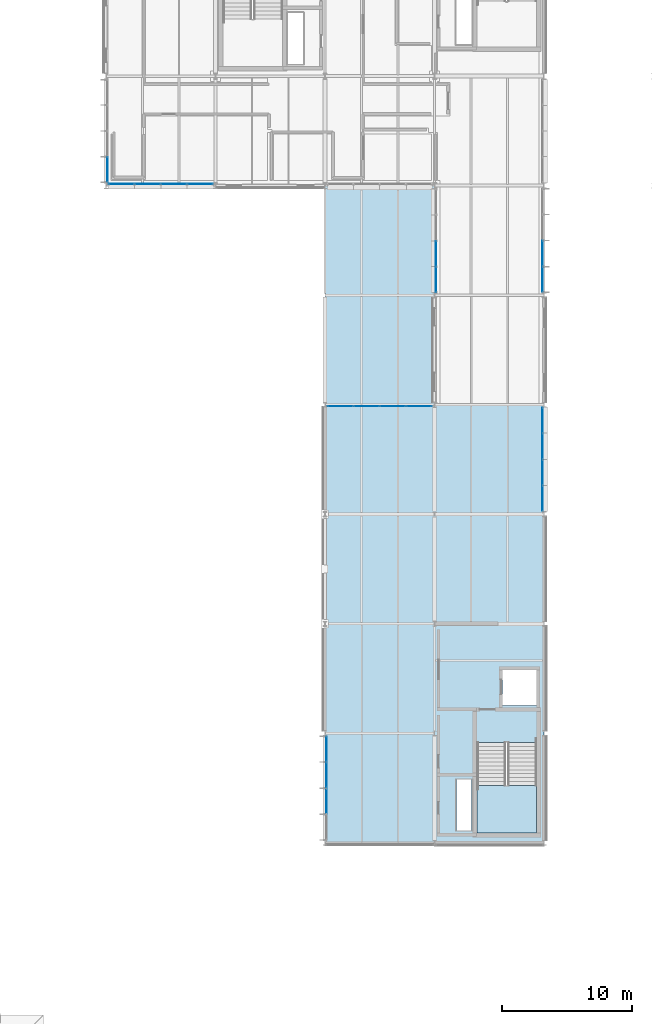
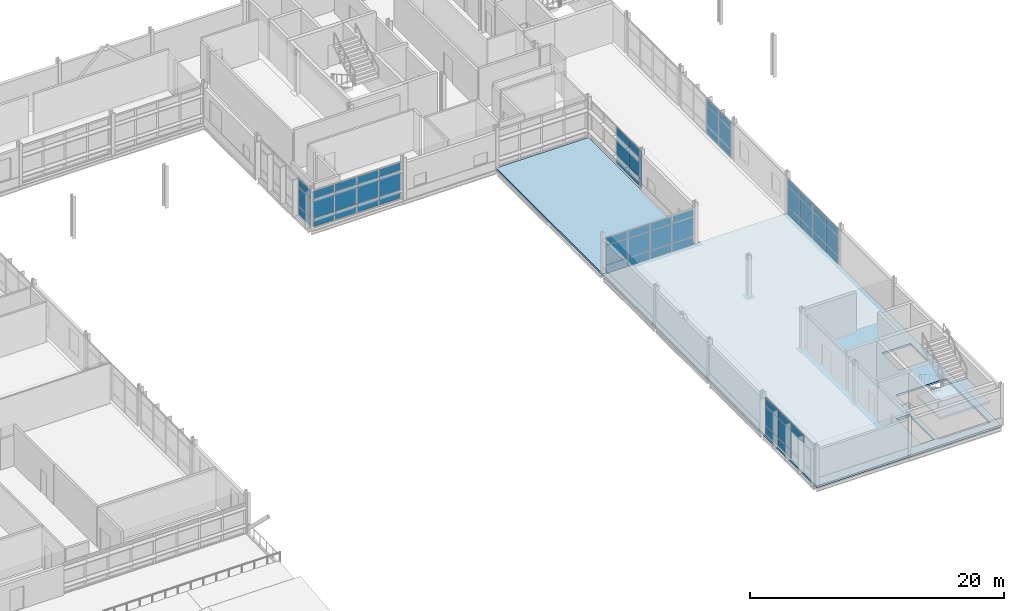
# One storey, part 79 of 103: 58 plates, 3 slabs, 8 elements without a shape of their own.
"""IFC4 building model written with IfcOpenShell, lengths in metres."""

from ifc_helpers import new_model, si_unit, direction, frame, origin, origin_2d, place, context, subcontext, project, spatial, polyline, rectangle, outline, extrude, material, layer, layer_set, type_object, element, aggregate, save


model = new_model("IFC4")

# Units and contexts
model_context = context("Model", 3, precision=1e-05, world=origin(), true_north=direction((0.0, 1.0)))
body_context = subcontext(model_context, "Body", "Model", "MODEL_VIEW")
ifc_project = project(units=[si_unit("LENGTHUNIT", "METRE"), si_unit("AREAUNIT", "SQUARE_METRE"), si_unit("VOLUMEUNIT", "CUBIC_METRE"), si_unit("PLANEANGLEUNIT", "RADIAN"), si_unit("MASSUNIT", "GRAM", prefix="KILO")], contexts=[model_context])

# Site, building, storey
site_placement = place(None, origin())
site = spatial("IfcSite", under=ifc_project, at=site_placement, CompositionType="ELEMENT")
building_placement = place(site_placement, origin())
building = spatial("IfcBuilding", under=site, at=building_placement, Name="Mersafa Astral City Hall", CompositionType="ELEMENT")
storey_placement = place(building_placement, frame((0.0, 0.0, 18.0)))
storey = spatial("IfcBuildingStorey", under=building, at=storey_placement, Name="L04", CompositionType="ELEMENT", Elevation=18.0)

# Curtain wall, plates
ifc_material_1 = material(Name="Anodised bronze aluminium framing", Category="aluminium")
curtain_wall_type_1 = type_object("IfcCurtainWallType", Name="ENV-CW-1", PredefinedType="USERDEFINED", material=ifc_material_1)
curtain_wall_1_placement = place(storey_placement, origin())
curtain_wall_1 = element("IfcCurtainWall", 1, at=curtain_wall_1_placement, inside=storey, type_object=curtain_wall_type_1, Name="L04 Unitised solar curtain wall 192", ObjectType="UNITISED CURTAIN WALL", PredefinedType="USERDEFINED")
ifc_material_2 = material(Name="Solar control low-e double glazing", Category="glass")
ifc_layer_1 = layer(ifc_material_2, 0.028076171875, Name="Solar control low-e double glazing")
ifc_layer_set_1 = layer_set([ifc_layer_1], Name="Solar control low-e double glazing — ENV-CW-PNL-GLZ-1")
plate_type_1 = type_object("IfcPlateType", Name="ENV-CW-PNL-GLZ-1", PredefinedType="CURTAIN_PANEL", material=ifc_layer_set_1)
plate_1_placement = place(storey_placement, frame((176.280029296875, 93.6064453125, 0.05810546875), z_axis=(0.0, 0.0, 1.0), x_axis=(0.0, 1.0, 0.0)))
plate_1 = element("IfcPlate", 2, at=plate_1_placement, type_object=plate_type_1, Name="CW-1 panel 1.1", PredefinedType="CURTAIN_PANEL", context=body_context, shape_type="SweptSolid", body=[
    extrude(rectangle(XDim=1.908935546875, YDim=0.028076171875, at=origin_2d()), origin(), (0.0, 0.0, 1.0), 0.761962890625),
])
plate_2_placement = place(storey_placement, frame((176.280029296875, 93.6064453125, 0.8798828125), z_axis=(0.0, 0.0, 1.0), x_axis=(0.0, 1.0, 0.0)))
plate_2 = element("IfcPlate", 3, at=plate_2_placement, type_object=plate_type_1, Name="CW-1 panel 1.2", PredefinedType="CURTAIN_PANEL", context=body_context, shape_type="SweptSolid", body=[
    extrude(rectangle(XDim=1.908935546875, YDim=0.028076171875, at=origin_2d()), origin(), (0.0, 0.0, 1.0), 1.840087890625),
])
plate_3_placement = place(storey_placement, frame((176.280029296875, 93.6064453125, 2.780029296875), z_axis=(0.0, 0.0, 1.0), x_axis=(0.0, 1.0, 0.0)))
plate_3 = element("IfcPlate", 4, at=plate_3_placement, type_object=plate_type_1, Name="CW-1 panel 1.3", PredefinedType="CURTAIN_PANEL", context=body_context, shape_type="SweptSolid", body=[
    extrude(rectangle(XDim=1.908935546875, YDim=0.028076171875, at=origin_2d()), origin(), (0.0, 0.0, 1.0), 0.6669921875),
])
plate_4_placement = place(storey_placement, frame((176.280029296875, 95.590576171875, 0.05810546875), z_axis=(0.0, 0.0, 1.0), x_axis=(0.0, 1.0, 0.0)))
plate_4 = element("IfcPlate", 5, at=plate_4_placement, type_object=plate_type_1, Name="CW-1 panel 2.1", PredefinedType="CURTAIN_PANEL", context=body_context, shape_type="SweptSolid", body=[
    extrude(rectangle(XDim=1.93896484375, YDim=0.028076171875, at=origin_2d()), origin(), (0.0, 0.0, 1.0), 0.761962890625),
])
plate_5_placement = place(storey_placement, frame((176.280029296875, 95.590576171875, 0.8798828125), z_axis=(0.0, 0.0, 1.0), x_axis=(0.0, 1.0, 0.0)))
plate_5 = element("IfcPlate", 6, at=plate_5_placement, type_object=plate_type_1, Name="CW-1 panel 2.2", PredefinedType="CURTAIN_PANEL", context=body_context, shape_type="SweptSolid", body=[
    extrude(rectangle(XDim=1.93896484375, YDim=0.028076171875, at=origin_2d()), origin(), (0.0, 0.0, 1.0), 1.840087890625),
])
plate_6_placement = place(storey_placement, frame((176.280029296875, 95.590576171875, 2.780029296875), z_axis=(0.0, 0.0, 1.0), x_axis=(0.0, 1.0, 0.0)))
plate_6 = element("IfcPlate", 7, at=plate_6_placement, type_object=plate_type_1, Name="CW-1 panel 2.3", PredefinedType="CURTAIN_PANEL", context=body_context, shape_type="SweptSolid", body=[
    extrude(rectangle(XDim=1.93896484375, YDim=0.028076171875, at=origin_2d()), origin(), (0.0, 0.0, 1.0), 0.6669921875),
])
aggregate(curtain_wall_1, [plate_1, plate_2, plate_3, plate_4, plate_5, plate_6])

curtain_wall_type_2 = type_object("IfcCurtainWallType", Name="ENV-CW-5", PredefinedType="USERDEFINED", material=ifc_material_1)
curtain_wall_2_placement = place(storey_placement, origin())
curtain_wall_2 = element("IfcCurtainWall", 8, at=curtain_wall_2_placement, inside=storey, type_object=curtain_wall_type_2, Name="L04 Unitised solar curtain wall 220", ObjectType="UNITISED CURTAIN WALL", PredefinedType="USERDEFINED")
plate_7_placement = place(storey_placement, frame((142.919921875, 102.042724609375, 0.05810546875), z_axis=(0.0, 0.0, 1.0), x_axis=(0.0, -1.0, 0.0)))
plate_7 = element("IfcPlate", 9, at=plate_7_placement, type_object=plate_type_1, Name="CW-5 panel 4.1", PredefinedType="CURTAIN_PANEL", context=body_context, shape_type="SweptSolid", body=[
    extrude(rectangle(XDim=1.8916015625, YDim=0.028076171875, at=origin_2d()), origin(), (0.0, 0.0, 1.0), 0.761962890625),
])
plate_8_placement = place(storey_placement, frame((142.919921875, 102.042724609375, 0.8798828125), z_axis=(0.0, 0.0, 1.0), x_axis=(0.0, -1.0, 0.0)))
plate_8 = element("IfcPlate", 10, at=plate_8_placement, type_object=plate_type_1, Name="CW-5 panel 4.2", PredefinedType="CURTAIN_PANEL", context=body_context, shape_type="SweptSolid", body=[
    extrude(rectangle(XDim=1.8916015625, YDim=0.028076171875, at=origin_2d()), origin(), (0.0, 0.0, 1.0), 1.840087890625),
])
plate_9_placement = place(storey_placement, frame((142.919921875, 102.042724609375, 2.77978515625), z_axis=(0.0, 0.0, 1.0), x_axis=(0.0, -1.0, 0.0)))
plate_9 = element("IfcPlate", 11, at=plate_9_placement, type_object=plate_type_1, Name="CW-5 panel 4.3", PredefinedType="CURTAIN_PANEL", context=body_context, shape_type="SweptSolid", body=[
    extrude(rectangle(XDim=1.8916015625, YDim=0.028076171875, at=origin_2d()), origin(), (0.0, 0.0, 1.0), 0.757080078125),
])
aggregate(curtain_wall_2, [plate_7, plate_8, plate_9])

curtain_wall_type_3 = type_object("IfcCurtainWallType", Name="ENV-CW-3", PredefinedType="USERDEFINED", material=ifc_material_1)
curtain_wall_3_placement = place(storey_placement, origin())
curtain_wall_3 = element("IfcCurtainWall", 12, at=curtain_wall_3_placement, inside=storey, type_object=curtain_wall_type_3, Name="L04 Unitised solar curtain wall 224", ObjectType="UNITISED CURTAIN WALL", PredefinedType="USERDEFINED")
plate_10_placement = place(storey_placement, frame((166.8134765625, 83.8798828125, 0.05810546875), z_axis=(0.0, 0.0, 1.0), x_axis=(-1.0, 0.0, 0.0)))
plate_10 = element("IfcPlate", 13, at=plate_10_placement, type_object=plate_type_1, Name="CW-3 panel 1.1", PredefinedType="CURTAIN_PANEL", context=body_context, shape_type="SweptSolid", body=[
    extrude(rectangle(XDim=1.928955078125, YDim=0.028076171875, at=origin_2d()), origin(), (0.0, 0.0, 1.0), 0.761962890625),
])
plate_11_placement = place(storey_placement, frame((166.8134765625, 83.8798828125, 0.8798828125), z_axis=(0.0, 0.0, 1.0), x_axis=(-1.0, 0.0, 0.0)))
plate_11 = element("IfcPlate", 14, at=plate_11_placement, type_object=plate_type_1, Name="CW-3 panel 1.2", PredefinedType="CURTAIN_PANEL", context=body_context, shape_type="SweptSolid", body=[
    extrude(rectangle(XDim=1.928955078125, YDim=0.028076171875, at=origin_2d()), origin(), (0.0, 0.0, 1.0), 1.840087890625),
])
plate_12_placement = place(storey_placement, frame((166.8134765625, 83.8798828125, 2.77978515625), z_axis=(0.0, 0.0, 1.0), x_axis=(-1.0, 0.0, 0.0)))
plate_12 = element("IfcPlate", 15, at=plate_12_placement, type_object=plate_type_1, Name="CW-3 panel 1.3", PredefinedType="CURTAIN_PANEL", context=body_context, shape_type="SweptSolid", body=[
    extrude(rectangle(XDim=1.928955078125, YDim=0.028076171875, at=origin_2d()), origin(), (0.0, 0.0, 1.0), 0.677001953125),
])
plate_13_placement = place(storey_placement, frame((164.8095703125, 83.8798828125, 0.05810546875), z_axis=(0.0, 0.0, 1.0), x_axis=(-1.0, 0.0, 0.0)))
plate_13 = element("IfcPlate", 16, at=plate_13_placement, type_object=plate_type_1, Name="CW-3 panel 2.1", PredefinedType="CURTAIN_PANEL", context=body_context, shape_type="SweptSolid", body=[
    extrude(rectangle(XDim=1.958984375, YDim=0.028076171875, at=origin_2d()), origin(), (0.0, 0.0, 1.0), 0.761962890625),
])
plate_14_placement = place(storey_placement, frame((164.8095703125, 83.8798828125, 0.8798828125), z_axis=(0.0, 0.0, 1.0), x_axis=(-1.0, 0.0, 0.0)))
plate_14 = element("IfcPlate", 17, at=plate_14_placement, type_object=plate_type_1, Name="CW-3 panel 2.2", PredefinedType="CURTAIN_PANEL", context=body_context, shape_type="SweptSolid", body=[
    extrude(rectangle(XDim=1.958984375, YDim=0.028076171875, at=origin_2d()), origin(), (0.0, 0.0, 1.0), 1.840087890625),
])
plate_15_placement = place(storey_placement, frame((164.8095703125, 83.8798828125, 2.77978515625), z_axis=(0.0, 0.0, 1.0), x_axis=(-1.0, 0.0, 0.0)))
plate_15 = element("IfcPlate", 18, at=plate_15_placement, type_object=plate_type_1, Name="CW-3 panel 2.3", PredefinedType="CURTAIN_PANEL", context=body_context, shape_type="SweptSolid", body=[
    extrude(rectangle(XDim=1.958984375, YDim=0.028076171875, at=origin_2d()), origin(), (0.0, 0.0, 1.0), 0.677001953125),
])
plate_16_placement = place(storey_placement, frame((162.79052734375, 83.8798828125, 0.05810546875), z_axis=(0.0, 0.0, 1.0), x_axis=(-1.0, 0.0, 0.0)))
plate_16 = element("IfcPlate", 19, at=plate_16_placement, type_object=plate_type_1, Name="CW-3 panel 3.1", PredefinedType="CURTAIN_PANEL", context=body_context, shape_type="SweptSolid", body=[
    extrude(rectangle(XDim=1.958984375, YDim=0.028076171875, at=origin_2d()), origin(), (0.0, 0.0, 1.0), 0.761962890625),
])
plate_17_placement = place(storey_placement, frame((162.79052734375, 83.8798828125, 0.8798828125), z_axis=(0.0, 0.0, 1.0), x_axis=(-1.0, 0.0, 0.0)))
plate_17 = element("IfcPlate", 20, at=plate_17_placement, type_object=plate_type_1, Name="CW-3 panel 3.2", PredefinedType="CURTAIN_PANEL", context=body_context, shape_type="SweptSolid", body=[
    extrude(rectangle(XDim=1.958984375, YDim=0.028076171875, at=origin_2d()), origin(), (0.0, 0.0, 1.0), 1.840087890625),
])
plate_18_placement = place(storey_placement, frame((162.79052734375, 83.8798828125, 2.77978515625), z_axis=(0.0, 0.0, 1.0), x_axis=(-1.0, 0.0, 0.0)))
plate_18 = element("IfcPlate", 21, at=plate_18_placement, type_object=plate_type_1, Name="CW-3 panel 3.3", PredefinedType="CURTAIN_PANEL", context=body_context, shape_type="SweptSolid", body=[
    extrude(rectangle(XDim=1.958984375, YDim=0.028076171875, at=origin_2d()), origin(), (0.0, 0.0, 1.0), 0.677001953125),
])
plate_19_placement = place(storey_placement, frame((160.78662109375, 83.8798828125, 0.05810546875), z_axis=(0.0, 0.0, 1.0), x_axis=(-1.0, 0.0, 0.0)))
plate_19 = element("IfcPlate", 22, at=plate_19_placement, type_object=plate_type_1, Name="CW-3 panel 4.1", PredefinedType="CURTAIN_PANEL", context=body_context, shape_type="SweptSolid", body=[
    extrude(rectangle(XDim=1.928955078125, YDim=0.028076171875, at=origin_2d()), origin(), (0.0, 0.0, 1.0), 0.761962890625),
])
plate_20_placement = place(storey_placement, frame((160.78662109375, 83.8798828125, 0.8798828125), z_axis=(0.0, 0.0, 1.0), x_axis=(-1.0, 0.0, 0.0)))
plate_20 = element("IfcPlate", 23, at=plate_20_placement, type_object=plate_type_1, Name="CW-3 panel 4.2", PredefinedType="CURTAIN_PANEL", context=body_context, shape_type="SweptSolid", body=[
    extrude(rectangle(XDim=1.928955078125, YDim=0.028076171875, at=origin_2d()), origin(), (0.0, 0.0, 1.0), 1.840087890625),
])
plate_21_placement = place(storey_placement, frame((160.78662109375, 83.8798828125, 2.77978515625), z_axis=(0.0, 0.0, 1.0), x_axis=(-1.0, 0.0, 0.0)))
plate_21 = element("IfcPlate", 24, at=plate_21_placement, type_object=plate_type_1, Name="CW-3 panel 4.3", PredefinedType="CURTAIN_PANEL", context=body_context, shape_type="SweptSolid", body=[
    extrude(rectangle(XDim=1.928955078125, YDim=0.028076171875, at=origin_2d()), origin(), (0.0, 0.0, 1.0), 0.677001953125),
])
aggregate(curtain_wall_3, [plate_10, plate_11, plate_12, plate_13, plate_14, plate_15, plate_16, plate_17, plate_18, plate_19, plate_20, plate_21])

curtain_wall_type_4 = type_object("IfcCurtainWallType", Name="ENV-CW-6", PredefinedType="USERDEFINED", material=ifc_material_1)
curtain_wall_4_placement = place(storey_placement, origin())
curtain_wall_4 = element("IfcCurtainWall", 25, at=curtain_wall_4_placement, inside=storey, type_object=curtain_wall_type_4, Name="L04 Unitised solar curtain wall 221", ObjectType="UNITISED CURTAIN WALL", PredefinedType="USERDEFINED")
ifc_layer_2 = layer(ifc_material_2, 0.031982421875, Name="Solar control low-e double glazing")
ifc_layer_set_2 = layer_set([ifc_layer_2], Name="Solar control low-e double glazing — ENV-CW-PNL-GLZ-2")
plate_type_2 = type_object("IfcPlateType", Name="ENV-CW-PNL-GLZ-2", PredefinedType="CURTAIN_PANEL", material=ifc_layer_set_2)
plate_22_placement = place(storey_placement, frame((143.986572265625, 100.919921875, 0.05810546875), z_axis=(0.0, 0.0, 1.0), x_axis=(1.0, 0.0, 0.0)))
plate_22 = element("IfcPlate", 26, at=plate_22_placement, type_object=plate_type_2, Name="CW-6 panel 1.1", PredefinedType="CURTAIN_PANEL", context=body_context, shape_type="SweptSolid", body=[
    extrude(rectangle(XDim=1.928955078125, YDim=0.031982421875, at=origin_2d()), origin(), (0.0, 0.0, 1.0), 0.761962890625),
])
plate_23_placement = place(storey_placement, frame((143.986572265625, 100.919921875, 0.8798828125), z_axis=(0.0, 0.0, 1.0), x_axis=(1.0, 0.0, 0.0)))
plate_23 = element("IfcPlate", 27, at=plate_23_placement, type_object=plate_type_2, Name="CW-6 panel 1.2", PredefinedType="CURTAIN_PANEL", context=body_context, shape_type="SweptSolid", body=[
    extrude(rectangle(XDim=1.928955078125, YDim=0.031982421875, at=origin_2d()), origin(), (0.0, 0.0, 1.0), 1.840087890625),
])
plate_24_placement = place(storey_placement, frame((143.986572265625, 100.919921875, 2.77978515625), z_axis=(0.0, 0.0, 1.0), x_axis=(1.0, 0.0, 0.0)))
plate_24 = element("IfcPlate", 28, at=plate_24_placement, type_object=plate_type_2, Name="CW-6 panel 1.3", PredefinedType="CURTAIN_PANEL", context=body_context, shape_type="SweptSolid", body=[
    extrude(rectangle(XDim=1.928955078125, YDim=0.031982421875, at=origin_2d()), origin(), (0.0, 0.0, 1.0), 0.697021484375),
])
plate_25_placement = place(storey_placement, frame((145.990478515625, 100.919921875, 0.05810546875), z_axis=(0.0, 0.0, 1.0), x_axis=(1.0, 0.0, 0.0)))
plate_25 = element("IfcPlate", 29, at=plate_25_placement, type_object=plate_type_2, Name="CW-6 panel 2.1", PredefinedType="CURTAIN_PANEL", context=body_context, shape_type="SweptSolid", body=[
    extrude(rectangle(XDim=1.958984375, YDim=0.031982421875, at=origin_2d()), origin(), (0.0, 0.0, 1.0), 0.761962890625),
])
plate_26_placement = place(storey_placement, frame((145.990478515625, 100.919921875, 0.8798828125), z_axis=(0.0, 0.0, 1.0), x_axis=(1.0, 0.0, 0.0)))
plate_26 = element("IfcPlate", 30, at=plate_26_placement, type_object=plate_type_2, Name="CW-6 panel 2.2", PredefinedType="CURTAIN_PANEL", context=body_context, shape_type="SweptSolid", body=[
    extrude(rectangle(XDim=1.958984375, YDim=0.031982421875, at=origin_2d()), origin(), (0.0, 0.0, 1.0), 1.840087890625),
])
plate_27_placement = place(storey_placement, frame((145.990478515625, 100.919921875, 2.77978515625), z_axis=(0.0, 0.0, 1.0), x_axis=(1.0, 0.0, 0.0)))
plate_27 = element("IfcPlate", 31, at=plate_27_placement, type_object=plate_type_2, Name="CW-6 panel 2.3", PredefinedType="CURTAIN_PANEL", context=body_context, shape_type="SweptSolid", body=[
    extrude(rectangle(XDim=1.958984375, YDim=0.031982421875, at=origin_2d()), origin(), (0.0, 0.0, 1.0), 0.697021484375),
])
plate_28_placement = place(storey_placement, frame((148.009521484375, 100.919921875, 0.05810546875), z_axis=(0.0, 0.0, 1.0), x_axis=(1.0, 0.0, 0.0)))
plate_28 = element("IfcPlate", 32, at=plate_28_placement, type_object=plate_type_2, Name="CW-6 panel 3.1", PredefinedType="CURTAIN_PANEL", context=body_context, shape_type="SweptSolid", body=[
    extrude(rectangle(XDim=1.958984375, YDim=0.031982421875, at=origin_2d()), origin(), (0.0, 0.0, 1.0), 0.761962890625),
])
plate_29_placement = place(storey_placement, frame((148.009521484375, 100.919921875, 0.8798828125), z_axis=(0.0, 0.0, 1.0), x_axis=(1.0, 0.0, 0.0)))
plate_29 = element("IfcPlate", 33, at=plate_29_placement, type_object=plate_type_2, Name="CW-6 panel 3.2", PredefinedType="CURTAIN_PANEL", context=body_context, shape_type="SweptSolid", body=[
    extrude(rectangle(XDim=1.958984375, YDim=0.031982421875, at=origin_2d()), origin(), (0.0, 0.0, 1.0), 1.840087890625),
])
plate_30_placement = place(storey_placement, frame((148.009521484375, 100.919921875, 2.77978515625), z_axis=(0.0, 0.0, 1.0), x_axis=(1.0, 0.0, 0.0)))
plate_30 = element("IfcPlate", 34, at=plate_30_placement, type_object=plate_type_2, Name="CW-6 panel 3.3", PredefinedType="CURTAIN_PANEL", context=body_context, shape_type="SweptSolid", body=[
    extrude(rectangle(XDim=1.958984375, YDim=0.031982421875, at=origin_2d()), origin(), (0.0, 0.0, 1.0), 0.697021484375),
])
plate_31_placement = place(storey_placement, frame((150.013427734375, 100.919921875, 0.05810546875), z_axis=(0.0, 0.0, 1.0), x_axis=(1.0, 0.0, 0.0)))
plate_31 = element("IfcPlate", 35, at=plate_31_placement, type_object=plate_type_2, Name="CW-6 panel 4.1", PredefinedType="CURTAIN_PANEL", context=body_context, shape_type="SweptSolid", body=[
    extrude(rectangle(XDim=1.928955078125, YDim=0.031982421875, at=origin_2d()), origin(), (0.0, 0.0, 1.0), 0.761962890625),
])
plate_32_placement = place(storey_placement, frame((150.013427734375, 100.919921875, 0.8798828125), z_axis=(0.0, 0.0, 1.0), x_axis=(1.0, 0.0, 0.0)))
plate_32 = element("IfcPlate", 36, at=plate_32_placement, type_object=plate_type_2, Name="CW-6 panel 4.2", PredefinedType="CURTAIN_PANEL", context=body_context, shape_type="SweptSolid", body=[
    extrude(rectangle(XDim=1.928955078125, YDim=0.031982421875, at=origin_2d()), origin(), (0.0, 0.0, 1.0), 1.840087890625),
])
plate_33_placement = place(storey_placement, frame((150.013427734375, 100.919921875, 2.77978515625), z_axis=(0.0, 0.0, 1.0), x_axis=(1.0, 0.0, 0.0)))
plate_33 = element("IfcPlate", 37, at=plate_33_placement, type_object=plate_type_2, Name="CW-6 panel 4.3", PredefinedType="CURTAIN_PANEL", context=body_context, shape_type="SweptSolid", body=[
    extrude(rectangle(XDim=1.928955078125, YDim=0.031982421875, at=origin_2d()), origin(), (0.0, 0.0, 1.0), 0.697021484375),
])
aggregate(curtain_wall_4, [plate_22, plate_23, plate_24, plate_25, plate_26, plate_27, plate_28, plate_29, plate_30, plate_31, plate_32, plate_33])

curtain_wall_5_placement = place(storey_placement, origin())
curtain_wall_5 = element("IfcCurtainWall", 38, at=curtain_wall_5_placement, inside=storey, type_object=curtain_wall_type_2, Name="L04 Unitised solar curtain wall 190", ObjectType="UNITISED CURTAIN WALL", PredefinedType="USERDEFINED")
ifc_layer_3 = layer(ifc_material_2, 0.035888671875, Name="Solar control low-e double glazing")
ifc_layer_set_3 = layer_set([ifc_layer_3], Name="Solar control low-e double glazing — ENV-CW-PNL-GLZ-3")
plate_type_3 = type_object("IfcPlateType", Name="ENV-CW-PNL-GLZ-3", PredefinedType="CURTAIN_PANEL", material=ifc_layer_set_3)
plate_34_placement = place(storey_placement, frame((159.719970703125, 57.58984375, 0.05810546875), z_axis=(0.0, 0.0, 1.0), x_axis=(0.0, -1.0, 0.0)))
plate_34 = element("IfcPlate", 39, at=plate_34_placement, type_object=plate_type_3, Name="CW-5 panel 1.1", PredefinedType="CURTAIN_PANEL", context=body_context, shape_type="SweptSolid", body=[
    extrude(rectangle(XDim=1.91650390625, YDim=0.035888671875, at=origin_2d()), origin(), (0.0, 0.0, 1.0), 0.761962890625),
])
plate_35_placement = place(storey_placement, frame((159.719970703125, 57.58984375, 0.8798828125), z_axis=(0.0, 0.0, 1.0), x_axis=(0.0, -1.0, 0.0)))
plate_35 = element("IfcPlate", 40, at=plate_35_placement, type_object=plate_type_3, Name="CW-5 panel 1.2", PredefinedType="CURTAIN_PANEL", context=body_context, shape_type="SweptSolid", body=[
    extrude(rectangle(XDim=1.91650390625, YDim=0.035888671875, at=origin_2d()), origin(), (0.0, 0.0, 1.0), 1.840087890625),
])
plate_36_placement = place(storey_placement, frame((159.719970703125, 57.58984375, 2.77978515625), z_axis=(0.0, 0.0, 1.0), x_axis=(0.0, -1.0, 0.0)))
plate_36 = element("IfcPlate", 41, at=plate_36_placement, type_object=plate_type_3, Name="CW-5 panel 1.3", PredefinedType="CURTAIN_PANEL", context=body_context, shape_type="SweptSolid", body=[
    extrude(rectangle(XDim=1.91650390625, YDim=0.035888671875, at=origin_2d()), origin(), (0.0, 0.0, 1.0), 0.757080078125),
])
plate_37_placement = place(storey_placement, frame((159.719970703125, 55.59814453125, 0.05810546875), z_axis=(0.0, 0.0, 1.0), x_axis=(0.0, -1.0, 0.0)))
plate_37 = element("IfcPlate", 42, at=plate_37_placement, type_object=plate_type_3, Name="CW-5 panel 2.1", PredefinedType="CURTAIN_PANEL", context=body_context, shape_type="SweptSolid", body=[
    extrude(rectangle(XDim=1.946533203125, YDim=0.035888671875, at=origin_2d()), origin(), (0.0, 0.0, 1.0), 0.761962890625),
])
plate_38_placement = place(storey_placement, frame((159.719970703125, 55.59814453125, 0.8798828125), z_axis=(0.0, 0.0, 1.0), x_axis=(0.0, -1.0, 0.0)))
plate_38 = element("IfcPlate", 43, at=plate_38_placement, type_object=plate_type_3, Name="CW-5 panel 2.2", PredefinedType="CURTAIN_PANEL", context=body_context, shape_type="SweptSolid", body=[
    extrude(rectangle(XDim=1.946533203125, YDim=0.035888671875, at=origin_2d()), origin(), (0.0, 0.0, 1.0), 1.840087890625),
])
plate_39_placement = place(storey_placement, frame((159.719970703125, 55.59814453125, 2.77978515625), z_axis=(0.0, 0.0, 1.0), x_axis=(0.0, -1.0, 0.0)))
plate_39 = element("IfcPlate", 44, at=plate_39_placement, type_object=plate_type_3, Name="CW-5 panel 2.3", PredefinedType="CURTAIN_PANEL", context=body_context, shape_type="SweptSolid", body=[
    extrude(rectangle(XDim=1.946533203125, YDim=0.035888671875, at=origin_2d()), origin(), (0.0, 0.0, 1.0), 0.757080078125),
])
plate_40_placement = place(storey_placement, frame((159.719970703125, 53.591796875, 2.77978515625), z_axis=(0.0, 0.0, 1.0), x_axis=(0.0, -1.0, 0.0)))
plate_40 = element("IfcPlate", 45, at=plate_40_placement, type_object=plate_type_3, Name="CW-5 panel 3.3", PredefinedType="CURTAIN_PANEL", context=body_context, shape_type="SweptSolid", body=[
    extrude(rectangle(XDim=1.946533203125, YDim=0.035888671875, at=origin_2d()), origin(), (0.0, 0.0, 1.0), 0.757080078125),
])
aggregate(curtain_wall_5, [plate_34, plate_35, plate_36, plate_37, plate_38, plate_39, plate_40])

curtain_wall_6_placement = place(storey_placement, origin())
curtain_wall_6 = element("IfcCurtainWall", 46, at=curtain_wall_6_placement, inside=storey, type_object=curtain_wall_type_4, Name="L04 Unitised solar curtain wall 191", ObjectType="UNITISED CURTAIN WALL", PredefinedType="USERDEFINED")
ifc_layer_4 = layer(ifc_material_2, 0.0400390625, Name="Solar control low-e double glazing")
ifc_layer_set_4 = layer_set([ifc_layer_4], Name="Solar control low-e double glazing — ENV-CW-PNL-GLZ-4")
plate_type_4 = type_object("IfcPlateType", Name="ENV-CW-PNL-GLZ-4", PredefinedType="CURTAIN_PANEL", material=ifc_layer_set_4)
plate_41_placement = place(storey_placement, frame((176.280029296875, 76.810302734375, 0.05810546875), z_axis=(0.0, 0.0, 1.0), x_axis=(0.0, 1.0, 0.0)))
plate_41 = element("IfcPlate", 47, at=plate_41_placement, type_object=plate_type_4, Name="CW-6 panel 1.1", PredefinedType="CURTAIN_PANEL", context=body_context, shape_type="SweptSolid", body=[
    extrude(rectangle(XDim=1.91650390625, YDim=0.0400390625, at=origin_2d()), origin(), (0.0, 0.0, 1.0), 0.761962890625),
])
plate_42_placement = place(storey_placement, frame((176.280029296875, 76.810302734375, 0.8798828125), z_axis=(0.0, 0.0, 1.0), x_axis=(0.0, 1.0, 0.0)))
plate_42 = element("IfcPlate", 48, at=plate_42_placement, type_object=plate_type_4, Name="CW-6 panel 1.2", PredefinedType="CURTAIN_PANEL", context=body_context, shape_type="SweptSolid", body=[
    extrude(rectangle(XDim=1.91650390625, YDim=0.0400390625, at=origin_2d()), origin(), (0.0, 0.0, 1.0), 1.840087890625),
])
plate_43_placement = place(storey_placement, frame((176.280029296875, 76.810302734375, 2.780029296875), z_axis=(0.0, 0.0, 1.0), x_axis=(0.0, 1.0, 0.0)))
plate_43 = element("IfcPlate", 49, at=plate_43_placement, type_object=plate_type_4, Name="CW-6 panel 1.3", PredefinedType="CURTAIN_PANEL", context=body_context, shape_type="SweptSolid", body=[
    extrude(rectangle(XDim=1.91650390625, YDim=0.0400390625, at=origin_2d()), origin(), (0.0, 0.0, 1.0), 0.6669921875),
])
plate_44_placement = place(storey_placement, frame((176.280029296875, 78.8017578125, 0.05810546875), z_axis=(0.0, 0.0, 1.0), x_axis=(0.0, 1.0, 0.0)))
plate_44 = element("IfcPlate", 50, at=plate_44_placement, type_object=plate_type_4, Name="CW-6 panel 2.1", PredefinedType="CURTAIN_PANEL", context=body_context, shape_type="SweptSolid", body=[
    extrude(rectangle(XDim=1.946533203125, YDim=0.0400390625, at=origin_2d()), origin(), (0.0, 0.0, 1.0), 0.761962890625),
])
plate_45_placement = place(storey_placement, frame((176.280029296875, 78.8017578125, 0.8798828125), z_axis=(0.0, 0.0, 1.0), x_axis=(0.0, 1.0, 0.0)))
plate_45 = element("IfcPlate", 51, at=plate_45_placement, type_object=plate_type_4, Name="CW-6 panel 2.2", PredefinedType="CURTAIN_PANEL", context=body_context, shape_type="SweptSolid", body=[
    extrude(rectangle(XDim=1.946533203125, YDim=0.0400390625, at=origin_2d()), origin(), (0.0, 0.0, 1.0), 1.840087890625),
])
plate_46_placement = place(storey_placement, frame((176.280029296875, 78.8017578125, 2.780029296875), z_axis=(0.0, 0.0, 1.0), x_axis=(0.0, 1.0, 0.0)))
plate_46 = element("IfcPlate", 52, at=plate_46_placement, type_object=plate_type_4, Name="CW-6 panel 2.3", PredefinedType="CURTAIN_PANEL", context=body_context, shape_type="SweptSolid", body=[
    extrude(rectangle(XDim=1.946533203125, YDim=0.0400390625, at=origin_2d()), origin(), (0.0, 0.0, 1.0), 0.6669921875),
])
plate_47_placement = place(storey_placement, frame((176.280029296875, 80.808349609375, 0.05810546875), z_axis=(0.0, 0.0, 1.0), x_axis=(0.0, 1.0, 0.0)))
plate_47 = element("IfcPlate", 53, at=plate_47_placement, type_object=plate_type_4, Name="CW-6 panel 3.1", PredefinedType="CURTAIN_PANEL", context=body_context, shape_type="SweptSolid", body=[
    extrude(rectangle(XDim=1.946533203125, YDim=0.0400390625, at=origin_2d()), origin(), (0.0, 0.0, 1.0), 0.761962890625),
])
plate_48_placement = place(storey_placement, frame((176.280029296875, 80.808349609375, 0.8798828125), z_axis=(0.0, 0.0, 1.0), x_axis=(0.0, 1.0, 0.0)))
plate_48 = element("IfcPlate", 54, at=plate_48_placement, type_object=plate_type_4, Name="CW-6 panel 3.2", PredefinedType="CURTAIN_PANEL", context=body_context, shape_type="SweptSolid", body=[
    extrude(rectangle(XDim=1.946533203125, YDim=0.0400390625, at=origin_2d()), origin(), (0.0, 0.0, 1.0), 1.840087890625),
])
plate_49_placement = place(storey_placement, frame((176.280029296875, 80.808349609375, 2.780029296875), z_axis=(0.0, 0.0, 1.0), x_axis=(0.0, 1.0, 0.0)))
plate_49 = element("IfcPlate", 55, at=plate_49_placement, type_object=plate_type_4, Name="CW-6 panel 3.3", PredefinedType="CURTAIN_PANEL", context=body_context, shape_type="SweptSolid", body=[
    extrude(rectangle(XDim=1.946533203125, YDim=0.0400390625, at=origin_2d()), origin(), (0.0, 0.0, 1.0), 0.6669921875),
])
plate_50_placement = place(storey_placement, frame((176.280029296875, 82.7998046875, 0.05810546875), z_axis=(0.0, 0.0, 1.0), x_axis=(0.0, 1.0, 0.0)))
plate_50 = element("IfcPlate", 56, at=plate_50_placement, type_object=plate_type_4, Name="CW-6 panel 4.1", PredefinedType="CURTAIN_PANEL", context=body_context, shape_type="SweptSolid", body=[
    extrude(rectangle(XDim=1.91650390625, YDim=0.0400390625, at=origin_2d()), origin(), (0.0, 0.0, 1.0), 0.761962890625),
])
plate_51_placement = place(storey_placement, frame((176.280029296875, 82.7998046875, 0.8798828125), z_axis=(0.0, 0.0, 1.0), x_axis=(0.0, 1.0, 0.0)))
plate_51 = element("IfcPlate", 57, at=plate_51_placement, type_object=plate_type_4, Name="CW-6 panel 4.2", PredefinedType="CURTAIN_PANEL", context=body_context, shape_type="SweptSolid", body=[
    extrude(rectangle(XDim=1.91650390625, YDim=0.0400390625, at=origin_2d()), origin(), (0.0, 0.0, 1.0), 1.840087890625),
])
plate_52_placement = place(storey_placement, frame((176.280029296875, 82.7998046875, 2.780029296875), z_axis=(0.0, 0.0, 1.0), x_axis=(0.0, 1.0, 0.0)))
plate_52 = element("IfcPlate", 58, at=plate_52_placement, type_object=plate_type_4, Name="CW-6 panel 4.3", PredefinedType="CURTAIN_PANEL", context=body_context, shape_type="SweptSolid", body=[
    extrude(rectangle(XDim=1.91650390625, YDim=0.0400390625, at=origin_2d()), origin(), (0.0, 0.0, 1.0), 0.6669921875),
])
aggregate(curtain_wall_6, [plate_41, plate_42, plate_43, plate_44, plate_45, plate_46, plate_47, plate_48, plate_49, plate_50, plate_51, plate_52])

curtain_wall_type_5 = type_object("IfcCurtainWallType", Name="ENV-CW-2", PredefinedType="USERDEFINED", material=ifc_material_1)
curtain_wall_7_placement = place(storey_placement, origin())
curtain_wall_7 = element("IfcCurtainWall", 59, at=curtain_wall_7_placement, inside=storey, type_object=curtain_wall_type_5, Name="L04 Unitised solar curtain wall 223", ObjectType="UNITISED CURTAIN WALL", PredefinedType="USERDEFINED")
plate_53_placement = place(storey_placement, frame((168.1201171875, 95.574951171875, 0.05810546875), z_axis=(0.0, 0.0, 1.0), x_axis=(0.0, -1.0, 0.0)))
plate_53 = element("IfcPlate", 60, at=plate_53_placement, type_object=plate_type_4, Name="CW-2 panel 3.1", PredefinedType="CURTAIN_PANEL", context=body_context, shape_type="SweptSolid", body=[
    extrude(rectangle(XDim=1.935302734375, YDim=0.0400390625, at=origin_2d()), origin(), (0.0, 0.0, 1.0), 0.761962890625),
])
plate_54_placement = place(storey_placement, frame((168.1201171875, 95.574951171875, 0.8798828125), z_axis=(0.0, 0.0, 1.0), x_axis=(0.0, -1.0, 0.0)))
plate_54 = element("IfcPlate", 61, at=plate_54_placement, type_object=plate_type_4, Name="CW-2 panel 3.2", PredefinedType="CURTAIN_PANEL", context=body_context, shape_type="SweptSolid", body=[
    extrude(rectangle(XDim=1.935302734375, YDim=0.0400390625, at=origin_2d()), origin(), (0.0, 0.0, 1.0), 1.840087890625),
])
plate_55_placement = place(storey_placement, frame((168.1201171875, 95.574951171875, 2.77978515625), z_axis=(0.0, 0.0, 1.0), x_axis=(0.0, -1.0, 0.0)))
plate_55 = element("IfcPlate", 62, at=plate_55_placement, type_object=plate_type_4, Name="CW-2 panel 3.3", PredefinedType="CURTAIN_PANEL", context=body_context, shape_type="SweptSolid", body=[
    extrude(rectangle(XDim=1.935302734375, YDim=0.0400390625, at=origin_2d()), origin(), (0.0, 0.0, 1.0), 0.757080078125),
])
plate_56_placement = place(storey_placement, frame((168.1201171875, 93.5947265625, 0.05810546875), z_axis=(0.0, 0.0, 1.0), x_axis=(0.0, -1.0, 0.0)))
plate_56 = element("IfcPlate", 63, at=plate_56_placement, type_object=plate_type_4, Name="CW-2 panel 4.1", PredefinedType="CURTAIN_PANEL", context=body_context, shape_type="SweptSolid", body=[
    extrude(rectangle(XDim=1.9052734375, YDim=0.0400390625, at=origin_2d()), origin(), (0.0, 0.0, 1.0), 0.761962890625),
])
plate_57_placement = place(storey_placement, frame((168.1201171875, 93.5947265625, 0.8798828125), z_axis=(0.0, 0.0, 1.0), x_axis=(0.0, -1.0, 0.0)))
plate_57 = element("IfcPlate", 64, at=plate_57_placement, type_object=plate_type_4, Name="CW-2 panel 4.2", PredefinedType="CURTAIN_PANEL", context=body_context, shape_type="SweptSolid", body=[
    extrude(rectangle(XDim=1.9052734375, YDim=0.0400390625, at=origin_2d()), origin(), (0.0, 0.0, 1.0), 1.840087890625),
])
plate_58_placement = place(storey_placement, frame((168.1201171875, 93.5947265625, 2.77978515625), z_axis=(0.0, 0.0, 1.0), x_axis=(0.0, -1.0, 0.0)))
plate_58 = element("IfcPlate", 65, at=plate_58_placement, type_object=plate_type_4, Name="CW-2 panel 4.3", PredefinedType="CURTAIN_PANEL", context=body_context, shape_type="SweptSolid", body=[
    extrude(rectangle(XDim=1.9052734375, YDim=0.0400390625, at=origin_2d()), origin(), (0.0, 0.0, 1.0), 0.757080078125),
])
aggregate(curtain_wall_7, [plate_53, plate_54, plate_55, plate_56, plate_57, plate_58])

# Stair, slab
ifc_material_3 = material(Name="Concrete C40/50", Category="concrete")
stair_type = type_object("IfcStairType", Name="STAIR", PredefinedType="HALF_TURN_STAIR", material=ifc_material_3)
stair_placement = place(storey_placement, origin())
stair = element("IfcStair", 66, at=stair_placement, inside=storey, type_object=stair_type, Name="L04 Protected Exit Stair ST4", PredefinedType="HALF_TURN_STAIR")
ifc_layer_5 = layer(ifc_material_3, 0.199951171875, Name="Concrete C40/50")
ifc_layer_set_5 = layer_set([ifc_layer_5], Name="Concrete C40/50 — STAIR-LANDING")
slab_type_1 = type_object("IfcSlabType", Name="STAIR-LANDING", PredefinedType="LANDING", material=ifc_layer_set_5)
slab_1_placement = place(storey_placement, frame((0.0, 0.0, 1.824951171875)))
slab_1 = element("IfcSlab", 67, at=slab_1_placement, type_object=slab_type_1, Name="ST4 landing 1", PredefinedType="LANDING", context=body_context, shape_type="SweptSolid", body=[
    extrude(outline(polyline([(171.260009765625, 54.800048828125), (171.260009765625, 51.14990234375), (175.820068359375, 51.14990234375), (175.820068359375, 54.800048828125), (171.260009765625, 54.800048828125)])), origin(), (0.0, 0.0, 1.0), 0.199951171875),
])
aggregate(stair, [slab_1])

# Slabs
ifc_material_4 = material(Name="Concrete C35/45", Category="concrete")
ifc_layer_6 = layer(ifc_material_4, 0.18505859375, Name="Concrete C35/45")
ifc_layer_set_6 = layer_set([ifc_layer_6], Name="Concrete C35/45 — STR-SLAB-FLR-185")
slab_type_2 = type_object("IfcSlabType", Name="STR-SLAB-FLR-185", PredefinedType="FLOOR", material=ifc_layer_set_6)
slab_2_placement = place(storey_placement, frame((0.0, 0.0, -0.18505859375)))
element("IfcSlab", 68, at=slab_2_placement, inside=storey, type_object=slab_type_2, Name="L04 V5 structural floor slab 1", PredefinedType="FLOOR", context=body_context, shape_type="SweptSolid", body=[
    extrude(outline(polyline([(159.60009765625, 75.60009765625), (159.60009765625, 84.0), (168.0, 84.0), (176.39990234375, 84.0), (176.39990234375, 75.60009765625), (176.39990234375, 67.199951171875), (176.39990234375, 58.800048828125), (176.39990234375, 50.39990234375), (168.0, 50.39990234375), (159.60009765625, 50.39990234375), (159.60009765625, 58.800048828125), (159.60009765625, 67.199951171875), (159.60009765625, 75.60009765625)]), holes=[polyline([(170.85009765625, 55.25), (169.669921875, 55.25), (169.669921875, 51.35009765625), (170.85009765625, 51.35009765625), (170.85009765625, 55.25)]), polyline([(171.260009765625, 51.14990234375), (175.820068359375, 51.14990234375), (175.820068359375, 58.10009765625), (171.260009765625, 58.10009765625), (171.260009765625, 51.14990234375)]), polyline([(175.820068359375, 63.64990234375), (173.219970703125, 63.64990234375), (173.219970703125, 60.949951171875), (175.820068359375, 60.949951171875), (175.820068359375, 63.64990234375)])]), origin(), (0.0, 0.0, 1.0), 0.18505859375),
])
ifc_layer_7 = layer(ifc_material_3, 0.199951171875, Name="Concrete C40/50")
ifc_layer_set_7 = layer_set([ifc_layer_7], Name="Concrete C40/50 — STR-SLAB-ROOF-200")
slab_type_3 = type_object("IfcSlabType", Name="STR-SLAB-ROOF-200", PredefinedType="ROOF", material=ifc_layer_set_7)
slab_3_placement = place(storey_placement, frame((0.0, 0.0, -0.199951171875)))
element("IfcSlab", 69, at=slab_3_placement, inside=storey, type_object=slab_type_3, Name="L04 Flat structural wing roof slab 2", PredefinedType="ROOF", context=body_context, shape_type="SweptSolid", body=[
    extrude(outline(polyline([(159.60009765625, 92.39990234375), (159.60009765625, 100.7919921875), (167.991943359375, 100.7919921875), (167.991943359375, 84.008056640625), (159.60009765625, 84.008056640625), (159.60009765625, 92.39990234375)])), origin(), (0.0, 0.0, 1.0), 0.199951171875),
])

save(model, "model.ifc")
